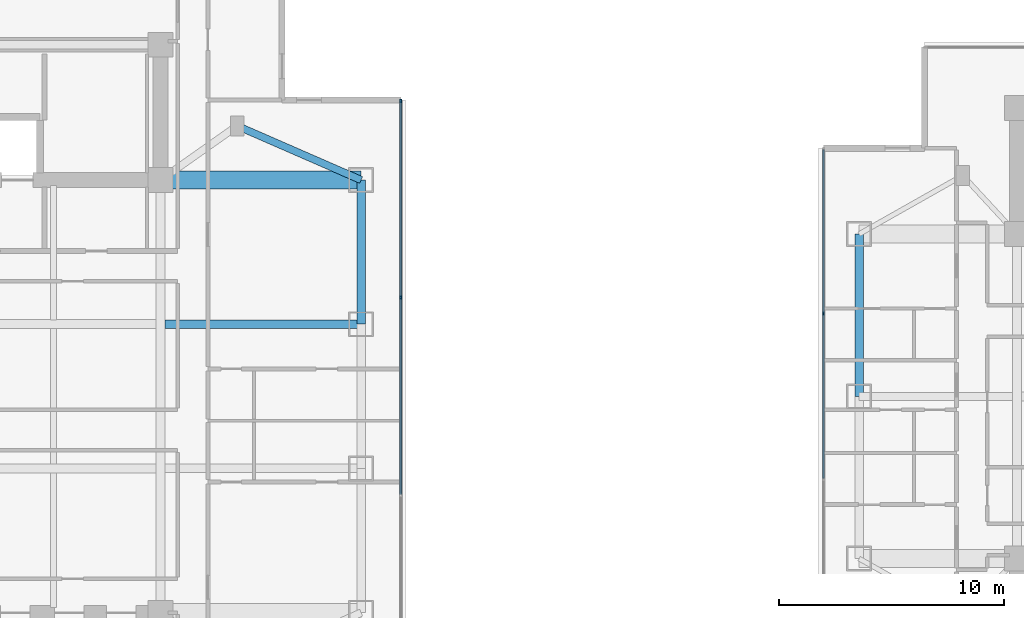
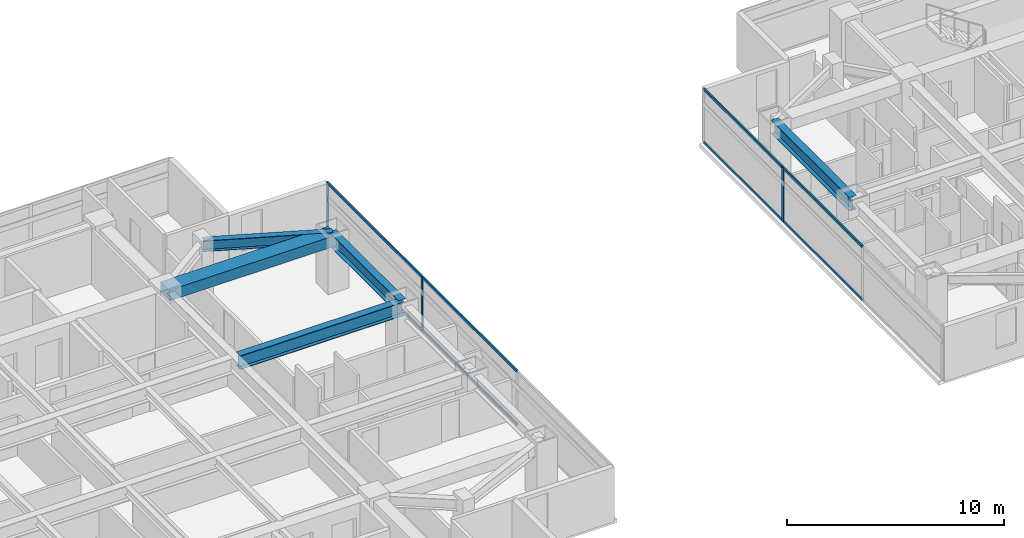
# One storey, part 6 of 26: 11 members, 5 beams, 2 elements without a shape of their own.
"""IFC4 building model written with IfcOpenShell, lengths in metres."""

from ifc_helpers import new_model, si_unit, direction, frame, origin, origin_2d, place, context, subcontext, project, spatial, rectangle, i_section, extrude, material, material_profile, profile_set, type_object, element, aggregate, save


model = new_model("IFC4")

# Units and contexts
model_context = context("Model", 3, precision=1e-05, world=origin(), true_north=direction((0.0, 1.0)))
body_context = subcontext(model_context, "Body", "Model", "MODEL_VIEW")
ifc_project = project(units=[si_unit("LENGTHUNIT", "METRE"), si_unit("AREAUNIT", "SQUARE_METRE"), si_unit("VOLUMEUNIT", "CUBIC_METRE"), si_unit("PLANEANGLEUNIT", "RADIAN"), si_unit("MASSUNIT", "GRAM", prefix="KILO")], contexts=[model_context])

# Site, building, storey
site_placement = place(None, origin())
site = spatial("IfcSite", under=ifc_project, at=site_placement, CompositionType="ELEMENT")
building_placement = place(site_placement, origin())
building = spatial("IfcBuilding", under=site, at=building_placement, Name="Mirazonda Arch Towers", CompositionType="ELEMENT")
storey_placement = place(building_placement, frame((0.0, 0.0, 121.39990234375)))
storey = spatial("IfcBuildingStorey", under=building, at=storey_placement, Name="L34", CompositionType="ELEMENT", Elevation=121.39990234375)

# Beams
ifc_material_1 = material(Name="Steel ASTM A992 Grade 50", Category="steel")
ifc_material_profile_1 = material_profile(ifc_material_1, i_section(OverallWidth=0.381103515625, OverallDepth=0.77294921875, WebThickness=0.0166015625, FlangeThickness=0.027099609375, at=origin_2d()), Name="W30X173")
ifc_profile_set_1 = profile_set([ifc_material_profile_1], Name="Steel ASTM A992 Grade 50")
beam_type_1 = type_object("IfcBeamType", Name="BM-EXT-W30X173", PredefinedType="USERDEFINED", material=ifc_profile_set_1)
beam_1_placement = place(storey_placement, frame((38.89990234375, 31.199951171875, 2.693603515625), z_axis=(0.0, 1.0, 0.0), x_axis=(-1.0, 0.0, 0.0)))
element("IfcBeam", 1, at=beam_1_placement, inside=storey, type_object=beam_type_1, Name="L34 Floor Beam BM-T1-L34-NS-E-31", ObjectType="GIRDER", PredefinedType="USERDEFINED", context=body_context, shape_type="SweptSolid", body=[
    extrude(i_section(OverallWidth=0.381103515625, OverallDepth=0.77294921875, WebThickness=0.0166015625, FlangeThickness=0.027099609375, at=origin_2d()), origin(), (0.0, 0.0, 1.0), 6.400146484375),
])
beam_2_placement = place(storey_placement, frame((61.0, 28.0, 2.693603515625), z_axis=(0.0, 1.0, 0.0), x_axis=(-1.0, 0.0, 0.0)))
element("IfcBeam", 2, at=beam_2_placement, inside=storey, type_object=beam_type_1, Name="L34 Floor Beam BM-T2-L34-NS-W-28", ObjectType="GIRDER", PredefinedType="USERDEFINED", context=body_context, shape_type="SweptSolid", body=[
    extrude(i_section(OverallWidth=0.381103515625, OverallDepth=0.77294921875, WebThickness=0.0166015625, FlangeThickness=0.027099609375, at=origin_2d()), origin(), (0.0, 0.0, 1.0), 7.199951171875),
])
ifc_material_profile_2 = material_profile(ifc_material_1, i_section(OverallWidth=0.324951171875, OverallDepth=0.615966796875, WebThickness=0.013916015625, FlangeThickness=0.021484375, at=origin_2d()), Name="W24X117")
ifc_profile_set_2 = profile_set([ifc_material_profile_2], Name="Steel ASTM A992 Grade 50")
beam_type_2 = type_object("IfcBeamType", Name="BM-INT-W24X117", PredefinedType="BEAM", material=ifc_profile_set_2)
beam_3_placement = place(storey_placement, frame((33.39990234375, 40.0, 2.772216796875), z_axis=(0.916545343703, -0.399930785183, 0.0), x_axis=(0.399930785183, 0.916545343703, 0.0)))
element("IfcBeam", 3, at=beam_3_placement, inside=storey, type_object=beam_type_2, Name="L34 Floor Beam BM-T1-L34-PL-NE2", PredefinedType="BEAM", context=body_context, shape_type="SweptSolid", body=[
    extrude(i_section(OverallWidth=0.324951171875, OverallDepth=0.615966796875, WebThickness=0.013916015625, FlangeThickness=0.021484375, at=origin_2d()), origin(), (0.0, 0.0, 1.0), 6.000732421875),
])
ifc_material_profile_3 = material_profile(ifc_material_1, i_section(OverallWidth=0.381103515625, OverallDepth=0.77294921875, WebThickness=0.0166015625, FlangeThickness=0.027099609375, at=origin_2d()), Name="W30X173")
ifc_profile_set_3 = profile_set([ifc_material_profile_3], Name="Steel ASTM A992 Grade 50")
beam_type_3 = type_object("IfcBeamType", Name="BM-INT-W30X173", PredefinedType="USERDEFINED", material=ifc_profile_set_3)
beam_4_placement = place(storey_placement, frame((30.199951171875, 31.199951171875, 2.693603515625), z_axis=(1.0, 0.0, 0.0), x_axis=(0.0, 1.0, 0.0)))
element("IfcBeam", 4, at=beam_4_placement, inside=storey, type_object=beam_type_3, Name="L34 Floor Beam BM-T1-L34-GE3", ObjectType="GIRDER", PredefinedType="USERDEFINED", context=body_context, shape_type="SweptSolid", body=[
    extrude(i_section(OverallWidth=0.381103515625, OverallDepth=0.77294921875, WebThickness=0.0166015625, FlangeThickness=0.027099609375, at=origin_2d()), origin(), (0.0, 0.0, 1.0), 8.699951171875),
])
ifc_material_2 = material(Name="Concrete C60/75", Category="concrete")
ifc_material_profile_4 = material_profile(ifc_material_2, rectangle(XDim=0.800048828125, YDim=0.60009765625, at=origin_2d()), Name="RCCB800x600")
ifc_profile_set_4 = profile_set([ifc_material_profile_4], Name="Concrete C60/75")
beam_type_4 = type_object("IfcBeamType", Name="CB-INT-RCCB800x600", PredefinedType="SPANDREL", material=ifc_profile_set_4)
beam_5_placement = place(storey_placement, frame((30.0, 37.60009765625, 2.780029296875), z_axis=(1.0, 0.0, 0.0), x_axis=(0.0, 1.0, 0.0)))
element("IfcBeam", 5, at=beam_5_placement, inside=storey, type_object=beam_type_4, Name="L34 Floor Beam CBC-T1-L34-NE", PredefinedType="SPANDREL", context=body_context, shape_type="SweptSolid", body=[
    extrude(rectangle(XDim=0.800048828125, YDim=0.60009765625, at=origin_2d()), origin(), (0.0, 0.0, 1.0), 8.89990234375),
])

# Curtain wall, members
ifc_material_3 = material(Name="Anodised Aluminium and Low-E Glass", Category="aluminium")
curtain_wall_type = type_object("IfcCurtainWallType", Name="CW-HTL-UNIT", PredefinedType="NOTDEFINED", material=ifc_material_3)
curtain_wall_1_placement = place(storey_placement, origin())
curtain_wall_1 = element("IfcCurtainWall", 6, at=curtain_wall_1_placement, inside=storey, type_object=curtain_wall_type, Name="L34 T1 E Facade CW-L34-T1-E", PredefinedType="NOTDEFINED")
ifc_material_4 = material(Name="Anodised Aluminium Alloy", Category="aluminium")
ifc_material_profile_5 = material_profile(ifc_material_4, rectangle(XDim=0.074951171875, YDim=0.1650390625, at=origin_2d()), Name="ALU-MULL-75x165")
ifc_profile_set_5 = profile_set([ifc_material_profile_5], Name="Anodised Aluminium Alloy")
member_type_1 = type_object("IfcMemberType", Name="MULL-CW-HTL-UNIT", PredefinedType="MULLION", material=ifc_profile_set_5)
member_1_placement = place(storey_placement, frame((40.659912109375, 32.382568359375, 0.0), z_axis=(0.0, 0.0, 1.0), x_axis=(-1.0, 0.0, 0.0)))
member_1 = element("IfcMember", 7, at=member_1_placement, type_object=member_type_1, Name="CW-112 mullion 3", PredefinedType="MULLION", context=body_context, shape_type="SweptSolid", body=[
    extrude(rectangle(XDim=0.074951171875, YDim=0.1650390625, at=origin_2d()), origin(), (0.0, 0.0, 1.0), 3.06005859375),
])
member_2_placement = place(storey_placement, frame((40.659912109375, 41.110595703125, 0.0), z_axis=(0.0, 0.0, 1.0), x_axis=(-1.0, 0.0, 0.0)))
member_2 = element("IfcMember", 8, at=member_2_placement, type_object=member_type_1, Name="CW-112 mullion 4", PredefinedType="MULLION", context=body_context, shape_type="SweptSolid", body=[
    extrude(rectangle(XDim=0.074951171875, YDim=0.1650390625, at=origin_2d()), origin(), (0.0, 0.0, 1.0), 3.06005859375),
])

# Curtain wall, member
curtain_wall_2_placement = place(storey_placement, origin())
curtain_wall_2 = element("IfcCurtainWall", 9, at=curtain_wall_2_placement, inside=storey, type_object=curtain_wall_type, Name="L34 T2 W Facade CW-L34-T2-W", PredefinedType="NOTDEFINED")
member_3_placement = place(storey_placement, frame((59.4169921875, 31.671875, 0.0), z_axis=(0.0, 0.0, 1.0), x_axis=(1.0, 0.0, 0.0)))
member_3 = element("IfcMember", 10, at=member_3_placement, type_object=member_type_1, Name="CW-112 mullion 2", PredefinedType="MULLION", context=body_context, shape_type="SweptSolid", body=[
    extrude(rectangle(XDim=0.074951171875, YDim=0.1650390625, at=origin_2d()), origin(), (0.0, 0.0, 1.0), 3.06005859375),
])

# Member
ifc_material_profile_6 = material_profile(ifc_material_4, rectangle(XDim=0.074951171875, YDim=0.14501953125, at=origin_2d()), Name="ALU-TRAN-75x145")
ifc_profile_set_6 = profile_set([ifc_material_profile_6], Name="Anodised Aluminium Alloy")
member_type_2 = type_object("IfcMemberType", Name="TRAN-CW-HTL-UNIT", PredefinedType="USERDEFINED", material=ifc_profile_set_6)
member_4_placement = place(storey_placement, frame((40.659912109375, 23.65478515625, 0.03759765625), z_axis=(0.0, 1.0, 0.0), x_axis=(-1.0, 0.0, 0.0)))
member_4 = element("IfcMember", 11, at=member_4_placement, type_object=member_type_2, Name="CW-112 transom 2.1", ObjectType="TRANSOM", PredefinedType="USERDEFINED", context=body_context, shape_type="SweptSolid", body=[
    extrude(rectangle(XDim=0.074951171875, YDim=0.14501953125, at=origin_2d()), origin(), (0.0, 0.0, 1.0), 8.6904296875),
])

member_5_placement = place(storey_placement, frame((40.659912109375, 23.65478515625, 3.022705078125), z_axis=(0.0, 1.0, 0.0), x_axis=(-1.0, 0.0, 0.0)))
member_5 = element("IfcMember", 12, at=member_5_placement, type_object=member_type_2, Name="CW-112 transom 2.2", ObjectType="TRANSOM", PredefinedType="USERDEFINED", context=body_context, shape_type="SweptSolid", body=[
    extrude(rectangle(XDim=0.074951171875, YDim=0.14501953125, at=origin_2d()), origin(), (0.0, 0.0, 1.0), 8.6904296875),
])

member_6_placement = place(storey_placement, frame((40.659912109375, 32.420166015625, 0.03759765625), z_axis=(0.0, 1.0, 0.0), x_axis=(-1.0, 0.0, 0.0)))
member_6 = element("IfcMember", 13, at=member_6_placement, type_object=member_type_2, Name="CW-112 transom 3.1", ObjectType="TRANSOM", PredefinedType="USERDEFINED", context=body_context, shape_type="SweptSolid", body=[
    extrude(rectangle(XDim=0.074951171875, YDim=0.14501953125, at=origin_2d()), origin(), (0.0, 0.0, 1.0), 8.65283203125),
])

member_7_placement = place(storey_placement, frame((40.659912109375, 32.420166015625, 3.022705078125), z_axis=(0.0, 1.0, 0.0), x_axis=(-1.0, 0.0, 0.0)))
member_7 = element("IfcMember", 14, at=member_7_placement, type_object=member_type_2, Name="CW-112 transom 3.2", ObjectType="TRANSOM", PredefinedType="USERDEFINED", context=body_context, shape_type="SweptSolid", body=[
    extrude(rectangle(XDim=0.074951171875, YDim=0.14501953125, at=origin_2d()), origin(), (0.0, 0.0, 1.0), 8.65283203125),
])

aggregate(curtain_wall_1, [member_1, member_2, member_4, member_5, member_6, member_7])

member_8_placement = place(storey_placement, frame((59.4169921875, 38.94091796875, 0.03759765625), z_axis=(0.0, -1.0, 0.0), x_axis=(1.0, 0.0, 0.0)))
member_8 = element("IfcMember", 15, at=member_8_placement, type_object=member_type_2, Name="CW-112 transom 1.1", ObjectType="TRANSOM", PredefinedType="USERDEFINED", context=body_context, shape_type="SweptSolid", body=[
    extrude(rectangle(XDim=0.074951171875, YDim=0.14501953125, at=origin_2d()), origin(), (0.0, 0.0, 1.0), 7.2314453125),
])

member_9_placement = place(storey_placement, frame((59.4169921875, 38.94091796875, 3.022705078125), z_axis=(0.0, -1.0, 0.0), x_axis=(1.0, 0.0, 0.0)))
member_9 = element("IfcMember", 16, at=member_9_placement, type_object=member_type_2, Name="CW-112 transom 1.2", ObjectType="TRANSOM", PredefinedType="USERDEFINED", context=body_context, shape_type="SweptSolid", body=[
    extrude(rectangle(XDim=0.074951171875, YDim=0.14501953125, at=origin_2d()), origin(), (0.0, 0.0, 1.0), 7.2314453125),
])

member_10_placement = place(storey_placement, frame((59.4169921875, 31.634521484375, 0.03759765625), z_axis=(0.0, -1.0, 0.0), x_axis=(1.0, 0.0, 0.0)))
member_10 = element("IfcMember", 17, at=member_10_placement, type_object=member_type_2, Name="CW-112 transom 2.1", ObjectType="TRANSOM", PredefinedType="USERDEFINED", context=body_context, shape_type="SweptSolid", body=[
    extrude(rectangle(XDim=0.074951171875, YDim=0.14501953125, at=origin_2d()), origin(), (0.0, 0.0, 1.0), 7.26904296875),
])

member_11_placement = place(storey_placement, frame((59.4169921875, 31.634521484375, 3.022705078125), z_axis=(0.0, -1.0, 0.0), x_axis=(1.0, 0.0, 0.0)))
member_11 = element("IfcMember", 18, at=member_11_placement, type_object=member_type_2, Name="CW-112 transom 2.2", ObjectType="TRANSOM", PredefinedType="USERDEFINED", context=body_context, shape_type="SweptSolid", body=[
    extrude(rectangle(XDim=0.074951171875, YDim=0.14501953125, at=origin_2d()), origin(), (0.0, 0.0, 1.0), 7.26904296875),
])

aggregate(curtain_wall_2, [member_3, member_8, member_9, member_10, member_11])

save(model, "model.ifc")
